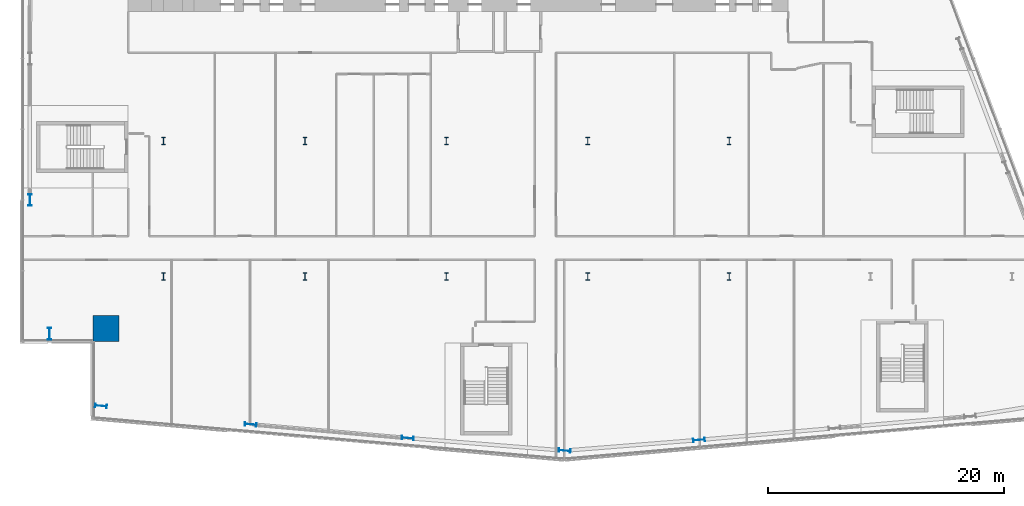
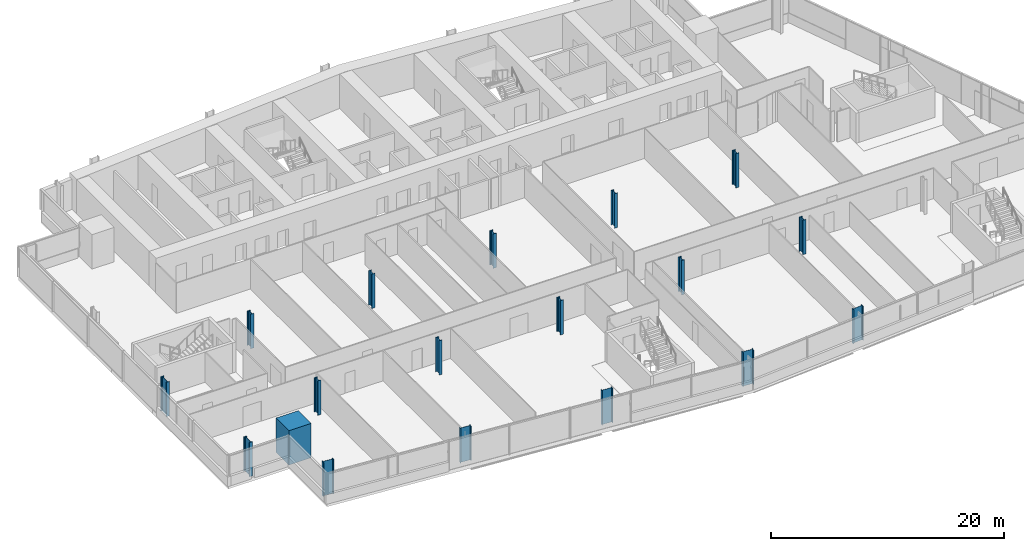
# One storey, part 1 of 24: 18 columns.
"""IFC4 building model written with IfcOpenShell, lengths in metres."""

import ifcopenshell
import ifcopenshell.guid

model = None  # the IFC model being written
_history = None  # IfcOwnerHistory: only IFC2X3 demands one
_inside = {}  # id of a spatial element -> (the spatial element, [elements in it])
_under = {}  # id of a project, library or spatial element -> (it, [spatial elements below it])
_declared = {}  # id of a project -> (the project, [libraries it declares])
_typed = {}  # id of a type object -> (the type object, [elements of that type])
_made_of = {}  # id of a material, layer set ... -> (it, [elements and type objects made of it])


def new_model(schema):
    """Start an empty IFC model of exactly this schema.

    Asked for "IFC4X3", IfcOpenShell would pick the latest addendum, in which some entities
    have other attributes; the version numbers below select the first issue.
    IFC2X3 requires an IfcOwnerHistory on every rooted entity: one is made here for all.
    """
    global model, _history
    if schema == "IFC4X3":
        model = ifcopenshell.file(schema_version=(4, 3, 0, 0))
    else:
        model = ifcopenshell.file(schema=schema)
    _inside.clear()
    _under.clear()
    _declared.clear()
    _typed.clear()
    _made_of.clear()
    _history = None
    if model.schema == "IFC2X3":
        org = make("IfcOrganization", Name="unknown")
        user = make(
            "IfcPersonAndOrganization",
            ThePerson=make("IfcPerson", FamilyName="unknown"),
            TheOrganization=org,
        )
        app = make(
            "IfcApplication",
            ApplicationDeveloper=org,
            Version="unknown",
            ApplicationFullName="unknown",
            ApplicationIdentifier="unknown",
        )
        _history = make(
            "IfcOwnerHistory",
            OwningUser=user,
            OwningApplication=app,
            ChangeAction="ADDED",
            CreationDate=0,
        )
    return model


def make(cls, **values):
    """One entity of the class cls with the attributes given. An attribute that is None is left unset."""
    return model.create_entity(
        cls, **{name: value for name, value in values.items() if value is not None}
    )


def rooted(cls, **values):
    """An entity with a GlobalId (a new one), such as an element, a storey or a relation."""
    return make(cls, GlobalId=ifcopenshell.guid.new(), OwnerHistory=_history, **values)


def si_unit(unit_type, name, prefix=None):
    """IfcSIUnit, for example si_unit("LENGTHUNIT", "METRE", prefix="MILLI")."""
    return make("IfcSIUnit", UnitType=unit_type, Prefix=prefix, Name=name)


def assignment(units):
    """IfcUnitAssignment: the units of a project."""
    return None if units is None else make("IfcUnitAssignment", Units=units)


def point(xyz):
    """IfcCartesianPoint."""
    return None if xyz is None else make("IfcCartesianPoint", Coordinates=xyz)


def direction(xyz):
    """IfcDirection."""
    return None if xyz is None else make("IfcDirection", DirectionRatios=xyz)


def frame(location, z_axis=None, x_axis=None):
    """IfcAxis2Placement3D, a coordinate frame: its origin and axes. An axis left out is left unset."""
    return make(
        "IfcAxis2Placement3D",
        Location=point(location),
        Axis=direction(z_axis),
        RefDirection=direction(x_axis),
    )


def frame_2d(location, x_axis=None):
    """IfcAxis2Placement2D, a coordinate frame in the plane: its origin and x axis."""
    return make(
        "IfcAxis2Placement2D", Location=point(location), RefDirection=direction(x_axis)
    )


def origin():
    """The frame at (0, 0, 0) with its axes left unset."""
    return frame((0.0, 0.0, 0.0))


def origin_2d():
    """The frame at (0, 0) in the plane with its x axis left unset."""
    return frame_2d((0.0, 0.0))


def place(relative_to, where):
    """IfcLocalPlacement: puts the frame where relative to a parent placement (None: the world)."""
    return make(
        "IfcLocalPlacement", PlacementRelTo=relative_to, RelativePlacement=where
    )


def context(
    kind, dimensions, precision=None, world=None, true_north=None, identifier=None
):
    """IfcGeometricRepresentationContext, for example the 3D "Model" context."""
    return make(
        "IfcGeometricRepresentationContext",
        ContextIdentifier=identifier,
        ContextType=kind,
        CoordinateSpaceDimension=dimensions,
        Precision=precision,
        WorldCoordinateSystem=world,
        TrueNorth=true_north,
    )


def subcontext(parent, identifier, kind, view, scale=None):
    """IfcGeometricRepresentationSubContext, for example "Body" below "Model"."""
    return make(
        "IfcGeometricRepresentationSubContext",
        ContextIdentifier=identifier,
        ContextType=kind,
        ParentContext=parent,
        TargetScale=scale,
        TargetView=view,
    )


def project(units=None, contexts=None):
    """IfcProject with its units and contexts."""
    return rooted(
        "IfcProject",
        Name="project",
        RepresentationContexts=contexts,
        UnitsInContext=assignment(units),
    )


def spatial(cls, under=None, at=None, **own):
    """A site, building, storey or space (cls), placed at a placement, below another one or the project."""
    s = rooted(cls, ObjectPlacement=at, **own)
    if under is not None:
        _under.setdefault(under.id(), (under, []))[1].append(s)
    return s


def profile(cls, at=None, kind="AREA", **sizes):
    """A parametric profile (cls). Its sizes go by their IFC names, for example OverallWidth=200.0."""
    return make(cls, ProfileType=kind, Position=at, **sizes)


def rectangle(**sizes):
    """IfcRectangleProfileDef."""
    return profile("IfcRectangleProfileDef", **sizes)


def i_section(**sizes):
    """IfcIShapeProfileDef."""
    return profile("IfcIShapeProfileDef", **sizes)


def extrude(swept, where, along, depth):
    """IfcExtrudedAreaSolid: the profile swept, set in the frame where, extruded along a direction by depth."""
    return make(
        "IfcExtrudedAreaSolid",
        SweptArea=swept,
        Position=where,
        ExtrudedDirection=direction(along),
        Depth=depth,
    )


def shape(context_of_items, identifier, shape_type, items):
    """IfcShapeRepresentation: the items that make up one representation, for example the "Body"."""
    return make(
        "IfcShapeRepresentation",
        ContextOfItems=context_of_items,
        RepresentationIdentifier=identifier,
        RepresentationType=shape_type,
        Items=items,
    )


def material(Name=None, Category=None):
    """IfcMaterial."""
    return make("IfcMaterial", Name=Name, Category=Category)


def material_profile(
    of_material, cross_section, Name=None, Category=None, Priority=None
):
    """IfcMaterialProfile: a cross section and its material."""
    return make(
        "IfcMaterialProfile",
        Name=Name,
        Material=of_material,
        Profile=cross_section,
        Priority=Priority,
        Category=Category,
    )


def profile_set(profiles, Name=None, composite=None):
    """IfcMaterialProfileSet."""
    return make(
        "IfcMaterialProfileSet",
        Name=Name,
        MaterialProfiles=profiles,
        CompositeProfile=composite,
    )


def made_of(thing, what):
    """Note that an element or type object is made of a material, layer set ...; save() writes the relation."""
    if what is not None:
        _made_of.setdefault(what.id(), (what, []))[1].append(thing)
    return thing


def type_object(cls, material=None, **own):
    """A type object (cls), such as IfcWallType, which elements share."""
    return made_of(rooted(cls, **own), material)


def element(
    cls,
    number,
    at=None,
    inside=None,
    cuts=None,
    type_object=None,
    material=None,
    context=None,
    identifier="Body",
    shape_type=None,
    held_by="IfcProductDefinitionShape",
    body=None,
    shapes=None,
    **own,
):
    """One element of the class cls, such as IfcWall. Its Tag is "e" and its number.

    at: its placement. inside: the storey or other place that contains it. cuts: it is an
    opening in that element (IfcRelVoidsElement). A single representation is given by context,
    identifier, shape_type and body (its items); several are given by shapes. held_by: the class
    of the entity that holds the representations. save() writes the other relations.
    """
    e = rooted(cls, Tag="e%d" % number, ObjectPlacement=at, **own)
    if body is not None:
        shapes = [shape(context, identifier, shape_type, body)]
    if shapes is not None:
        e.Representation = make(held_by, Representations=shapes)
    if inside is not None:
        _inside.setdefault(inside.id(), (inside, []))[1].append(e)
    if cuts is not None:
        rooted(
            "IfcRelVoidsElement", RelatingBuildingElement=cuts, RelatedOpeningElement=e
        )
    if type_object is not None:
        _typed.setdefault(type_object.id(), (type_object, []))[1].append(e)
    return made_of(e, material)


def aggregate(whole, parts):
    """IfcRelAggregates: a whole, such as a stair, and the parts it consists of."""
    return rooted("IfcRelAggregates", RelatingObject=whole, RelatedObjects=parts)


def save(model, path):
    """Write the relations noted so far, then the file.

    IfcRelAggregates (storeys below a building ...), IfcRelContainedInSpatialStructure (elements
    in a storey), IfcRelDefinesByType, IfcRelAssociatesMaterial and IfcRelDeclares: one each for
    every whole, place, type object, material and project.
    """
    for whole, parts in _under.values():
        aggregate(whole, parts)
    for where, things in _inside.values():
        rooted(
            "IfcRelContainedInSpatialStructure",
            RelatedElements=things,
            RelatingStructure=where,
        )
    for kind, things in _typed.values():
        rooted("IfcRelDefinesByType", RelatedObjects=things, RelatingType=kind)
    for what, things in _made_of.values():
        rooted("IfcRelAssociatesMaterial", RelatedObjects=things, RelatingMaterial=what)
    for by, libraries in _declared.values():
        rooted("IfcRelDeclares", RelatingContext=by, RelatedDefinitions=libraries)
    model.write(path)


model = new_model("IFC4")

# Units and contexts
model_context = context("Model", 3, precision=1e-05, world=origin(), true_north=direction((0.0, 1.0)))
body_context = subcontext(model_context, "Body", "Model", "MODEL_VIEW")
ifc_project = project(units=[si_unit("LENGTHUNIT", "METRE"), si_unit("AREAUNIT", "SQUARE_METRE"), si_unit("VOLUMEUNIT", "CUBIC_METRE"), si_unit("PLANEANGLEUNIT", "RADIAN"), si_unit("MASSUNIT", "GRAM", prefix="KILO")], contexts=[model_context])

# Site, building, storey
site_placement = place(None, origin())
site = spatial("IfcSite", under=ifc_project, at=site_placement, CompositionType="ELEMENT")
building_placement = place(site_placement, origin())
building = spatial("IfcBuilding", under=site, at=building_placement, Name="Wharfspan Tower", CompositionType="ELEMENT")
storey_placement = place(building_placement, frame((0.0, 0.0, 88.300049)))
storey = spatial("IfcBuildingStorey", under=building, at=storey_placement, Name="L19", CompositionType="ELEMENT", Elevation=88.300049)

# Columns
ifc_material_1 = material(Name="Steel S355J2", Category="steel")
ifc_material_profile_1 = material_profile(ifc_material_1, i_section(OverallWidth=0.302002, OverallDepth=1.008057, WebThickness=0.020996, FlangeThickness=0.040039, FilletRadius=0.030029, at=origin_2d()))
ifc_profile_set_1 = profile_set([ifc_material_profile_1], Name="Steel S355J2")
column_type_1 = type_object("IfcColumnType", Name="Column HEM 1000", PredefinedType="COLUMN", material=ifc_profile_set_1)
for number, where, z_axis, x_axis, name in (
    (1, (6.694336, 0.528564, 0.0), (0.0, 0.0, 1.0), (-0.087156, -0.996198, 0.0), "Perimeter column PS1.1 L19"),
    (2, (19.390869, -1.033936, 0.0), (0.0, 0.0, 1.0), (-0.087156, -0.996198, 0.0), "Perimeter column PS1.2 L19"),
    (3, (32.724121, -2.200439, 0.0), (0.0, 0.0, 1.0), (-0.087156, -0.996198, 0.0), "Perimeter column PS1.3 L19"),
    (4, (46.04248, -3.268066, 0.0), (0.0, 0.0, 1.0), (-0.087156, -0.996198, 0.0), "Perimeter column PS1.4 L19"),
    (5, (57.442383, -2.36084, 0.0), (0.0, 0.0, 1.0), (0.087156, -0.996198, 0.0), "Perimeter column PS2.1 L19"),
    (6, (0.659912, 18.0, 0.0), (0.0, 0.0, 1.0), (-1.0, 0.0, 0.0), "Perimeter column PW.2 L19"),
    (7, (2.331787, 6.66748, 0.0), (0.0, 0.0, 1.0), (-1.0, 0.0, 0.0), "Perimeter column PW.3 L19"),
):
    element("IfcColumn", number, at=place(storey_placement, frame(where, z_axis=z_axis, x_axis=x_axis)), inside=storey, type_object=column_type_1, Name=name, PredefinedType="COLUMN", context=body_context, shape_type="SweptSolid", body=[
        extrude(i_section(OverallWidth=0.302002, OverallDepth=1.008057, WebThickness=0.020996, FlangeThickness=0.040039, FilletRadius=0.030029, at=origin_2d()), origin(), (0.0, 0.0, 1.0), 3.599854),
    ])
ifc_material_profile_2 = material_profile(ifc_material_1, i_section(OverallWidth=0.304932, OverallDepth=0.620117, WebThickness=0.020996, FlangeThickness=0.040039, FilletRadius=0.0271, at=origin_2d()))
ifc_profile_set_2 = profile_set([ifc_material_profile_2], Name="Steel S355J2")
column_type_2 = type_object("IfcColumnType", Name="Column HEM 600", PredefinedType="COLUMN", material=ifc_profile_set_2)
for number, where, z_axis, x_axis, name in (
    (8, (12.0, 11.5, 0.0), (0.0, 0.0, 1.0), (1.0, 0.0, 0.0), "Interior column I.1.1 L19"),
    (9, (24.0, 11.5, 0.0), (0.0, 0.0, 1.0), (1.0, 0.0, 0.0), "Interior column I.1.2 L19"),
    (10, (36.0, 11.5, 0.0), (0.0, 0.0, 1.0), (1.0, 0.0, 0.0), "Interior column I.1.3 L19"),
    (11, (48.0, 11.5, 0.0), (0.0, 0.0, 1.0), (1.0, 0.0, 0.0), "Interior column I.1.4 L19"),
    (12, (60.0, 11.5, 0.0), (0.0, 0.0, 1.0), (1.0, 0.0, 0.0), "Interior column I.1.5 L19"),
    (13, (12.0, 23.0, 0.0), (0.0, 0.0, 1.0), (1.0, 0.0, 0.0), "Interior column I.2.1 L19"),
    (14, (24.0, 23.0, 0.0), (0.0, 0.0, 1.0), (1.0, 0.0, 0.0), "Interior column I.2.2 L19"),
    (15, (36.0, 23.0, 0.0), (0.0, 0.0, 1.0), (1.0, 0.0, 0.0), "Interior column I.2.3 L19"),
    (16, (48.0, 23.0, 0.0), (0.0, 0.0, 1.0), (1.0, 0.0, 0.0), "Interior column I.2.4 L19"),
    (17, (60.0, 23.0, 0.0), (0.0, 0.0, 1.0), (1.0, 0.0, 0.0), "Interior column I.2.5 L19"),
):
    element("IfcColumn", number, at=place(storey_placement, frame(where, z_axis=z_axis, x_axis=x_axis)), inside=storey, type_object=column_type_2, Name=name, PredefinedType="COLUMN", context=body_context, shape_type="SweptSolid", body=[
        extrude(i_section(OverallWidth=0.304932, OverallDepth=0.620117, WebThickness=0.020996, FlangeThickness=0.040039, FilletRadius=0.0271, at=origin_2d()), origin(), (0.0, 0.0, 1.0), 3.599854),
    ])
ifc_material_2 = material(Name="Concrete C70/85", Category="concrete")
ifc_material_profile_3 = material_profile(ifc_material_2, rectangle(XDim=2.199951, YDim=2.199951, at=origin_2d()))
ifc_profile_set_3 = profile_set([ifc_material_profile_3], Name="Concrete C70/85")
column_type_3 = type_object("IfcColumnType", Name="Mega column 2200 C70/85", PredefinedType="COLUMN", material=ifc_profile_set_3)
column_placement = place(storey_placement, frame((7.100098, 7.100098, 0.0), z_axis=(0.0, 0.0, 1.0), x_axis=(1.0, 0.0, 0.0)))
element("IfcColumn", 18, at=column_placement, inside=storey, type_object=column_type_3, Name="Mega column MC1 L19", PredefinedType="COLUMN", context=body_context, shape_type="SweptSolid", body=[
    extrude(rectangle(XDim=2.199951, YDim=2.199951, at=origin_2d()), origin(), (0.0, 0.0, 1.0), 3.599854),
])

save(model, "model.ifc")
